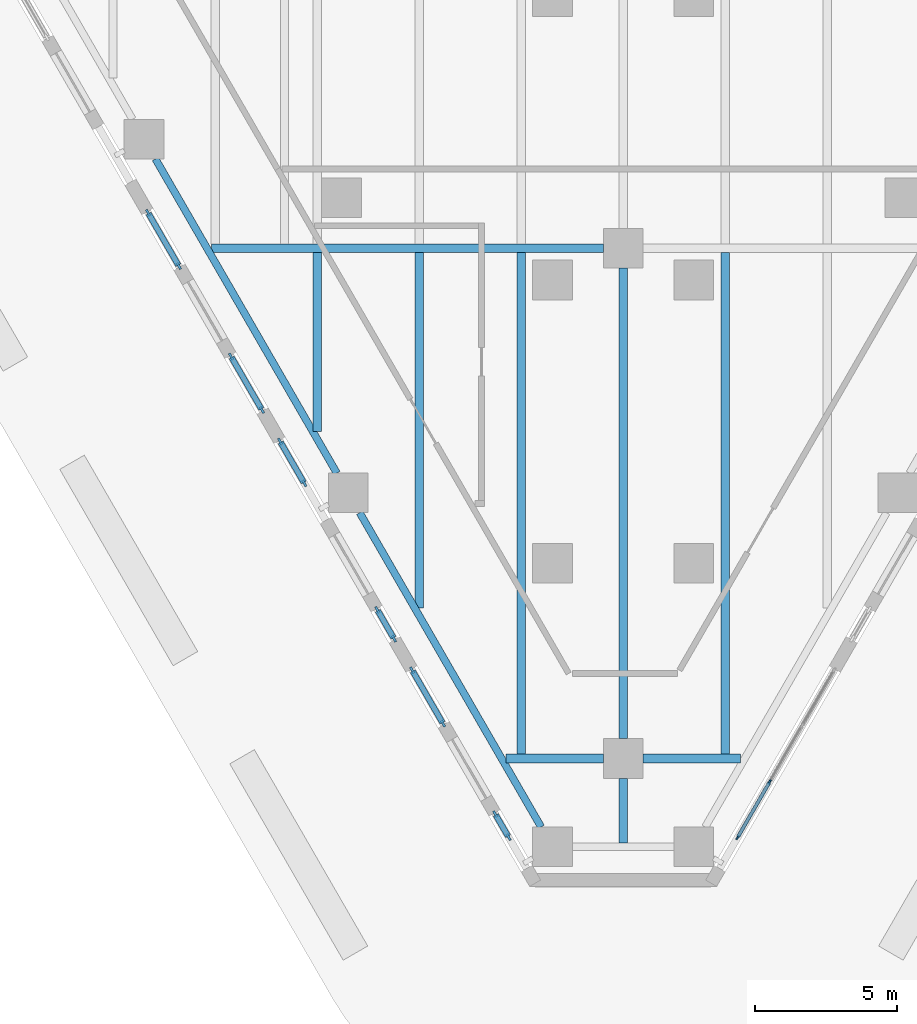
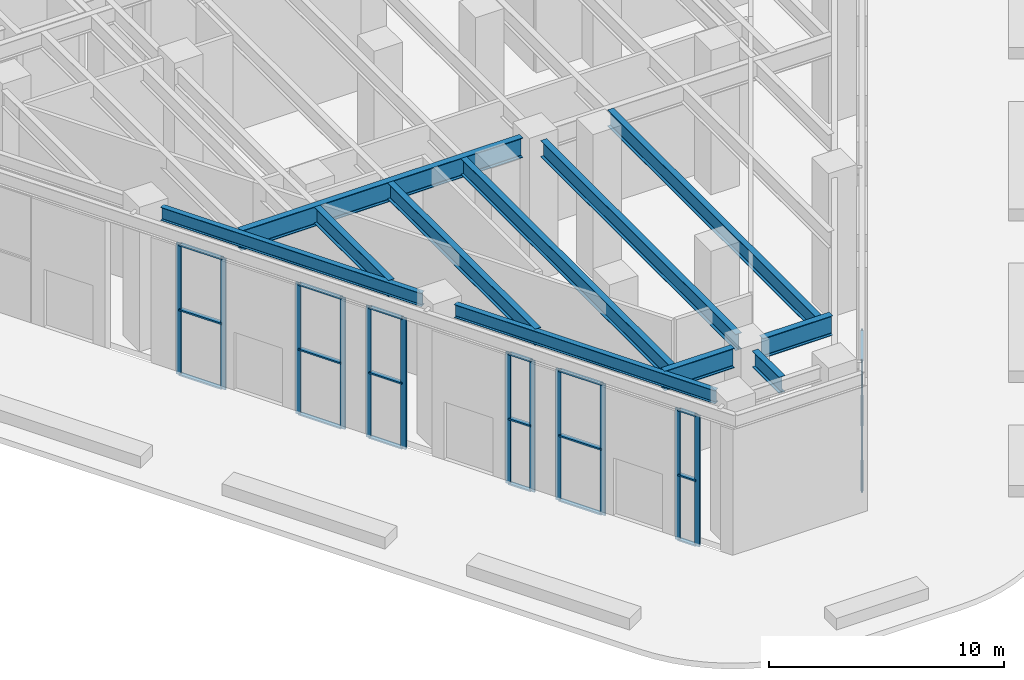
# One storey, part 2 of 37: 35 members, 11 beams, 7 elements without a shape of their own.
"""IFC4 building model written with IfcOpenShell, lengths in metres."""

import ifcopenshell
import ifcopenshell.guid

model = None  # the IFC model being written
_history = None  # IfcOwnerHistory: only IFC2X3 demands one
_inside = {}  # id of a spatial element -> (the spatial element, [elements in it])
_under = {}  # id of a project, library or spatial element -> (it, [spatial elements below it])
_declared = {}  # id of a project -> (the project, [libraries it declares])
_typed = {}  # id of a type object -> (the type object, [elements of that type])
_made_of = {}  # id of a material, layer set ... -> (it, [elements and type objects made of it])


def new_model(schema):
    """Start an empty IFC model of exactly this schema.

    Asked for "IFC4X3", IfcOpenShell would pick the latest addendum, in which some entities
    have other attributes; the version numbers below select the first issue.
    IFC2X3 requires an IfcOwnerHistory on every rooted entity: one is made here for all.
    """
    global model, _history
    if schema == "IFC4X3":
        model = ifcopenshell.file(schema_version=(4, 3, 0, 0))
    else:
        model = ifcopenshell.file(schema=schema)
    _inside.clear()
    _under.clear()
    _declared.clear()
    _typed.clear()
    _made_of.clear()
    _history = None
    if model.schema == "IFC2X3":
        org = make("IfcOrganization", Name="unknown")
        user = make(
            "IfcPersonAndOrganization",
            ThePerson=make("IfcPerson", FamilyName="unknown"),
            TheOrganization=org,
        )
        app = make(
            "IfcApplication",
            ApplicationDeveloper=org,
            Version="unknown",
            ApplicationFullName="unknown",
            ApplicationIdentifier="unknown",
        )
        _history = make(
            "IfcOwnerHistory",
            OwningUser=user,
            OwningApplication=app,
            ChangeAction="ADDED",
            CreationDate=0,
        )
    return model


def make(cls, **values):
    """One entity of the class cls with the attributes given. An attribute that is None is left unset."""
    return model.create_entity(
        cls, **{name: value for name, value in values.items() if value is not None}
    )


def rooted(cls, **values):
    """An entity with a GlobalId (a new one), such as an element, a storey or a relation."""
    return make(cls, GlobalId=ifcopenshell.guid.new(), OwnerHistory=_history, **values)


def si_unit(unit_type, name, prefix=None):
    """IfcSIUnit, for example si_unit("LENGTHUNIT", "METRE", prefix="MILLI")."""
    return make("IfcSIUnit", UnitType=unit_type, Prefix=prefix, Name=name)


def assignment(units):
    """IfcUnitAssignment: the units of a project."""
    return None if units is None else make("IfcUnitAssignment", Units=units)


def point(xyz):
    """IfcCartesianPoint."""
    return None if xyz is None else make("IfcCartesianPoint", Coordinates=xyz)


def direction(xyz):
    """IfcDirection."""
    return None if xyz is None else make("IfcDirection", DirectionRatios=xyz)


def frame(location, z_axis=None, x_axis=None):
    """IfcAxis2Placement3D, a coordinate frame: its origin and axes. An axis left out is left unset."""
    return make(
        "IfcAxis2Placement3D",
        Location=point(location),
        Axis=direction(z_axis),
        RefDirection=direction(x_axis),
    )


def frame_2d(location, x_axis=None):
    """IfcAxis2Placement2D, a coordinate frame in the plane: its origin and x axis."""
    return make(
        "IfcAxis2Placement2D", Location=point(location), RefDirection=direction(x_axis)
    )


def origin():
    """The frame at (0, 0, 0) with its axes left unset."""
    return frame((0.0, 0.0, 0.0))


def origin_2d():
    """The frame at (0, 0) in the plane with its x axis left unset."""
    return frame_2d((0.0, 0.0))


def place(relative_to, where):
    """IfcLocalPlacement: puts the frame where relative to a parent placement (None: the world)."""
    return make(
        "IfcLocalPlacement", PlacementRelTo=relative_to, RelativePlacement=where
    )


def context(
    kind, dimensions, precision=None, world=None, true_north=None, identifier=None
):
    """IfcGeometricRepresentationContext, for example the 3D "Model" context."""
    return make(
        "IfcGeometricRepresentationContext",
        ContextIdentifier=identifier,
        ContextType=kind,
        CoordinateSpaceDimension=dimensions,
        Precision=precision,
        WorldCoordinateSystem=world,
        TrueNorth=true_north,
    )


def subcontext(parent, identifier, kind, view, scale=None):
    """IfcGeometricRepresentationSubContext, for example "Body" below "Model"."""
    return make(
        "IfcGeometricRepresentationSubContext",
        ContextIdentifier=identifier,
        ContextType=kind,
        ParentContext=parent,
        TargetScale=scale,
        TargetView=view,
    )


def project(units=None, contexts=None):
    """IfcProject with its units and contexts."""
    return rooted(
        "IfcProject",
        Name="project",
        RepresentationContexts=contexts,
        UnitsInContext=assignment(units),
    )


def spatial(cls, under=None, at=None, **own):
    """A site, building, storey or space (cls), placed at a placement, below another one or the project."""
    s = rooted(cls, ObjectPlacement=at, **own)
    if under is not None:
        _under.setdefault(under.id(), (under, []))[1].append(s)
    return s


def profile(cls, at=None, kind="AREA", **sizes):
    """A parametric profile (cls). Its sizes go by their IFC names, for example OverallWidth=200.0."""
    return make(cls, ProfileType=kind, Position=at, **sizes)


def rectangle(**sizes):
    """IfcRectangleProfileDef."""
    return profile("IfcRectangleProfileDef", **sizes)


def i_section(**sizes):
    """IfcIShapeProfileDef."""
    return profile("IfcIShapeProfileDef", **sizes)


def extrude(swept, where, along, depth):
    """IfcExtrudedAreaSolid: the profile swept, set in the frame where, extruded along a direction by depth."""
    return make(
        "IfcExtrudedAreaSolid",
        SweptArea=swept,
        Position=where,
        ExtrudedDirection=direction(along),
        Depth=depth,
    )


def shape(context_of_items, identifier, shape_type, items):
    """IfcShapeRepresentation: the items that make up one representation, for example the "Body"."""
    return make(
        "IfcShapeRepresentation",
        ContextOfItems=context_of_items,
        RepresentationIdentifier=identifier,
        RepresentationType=shape_type,
        Items=items,
    )


def material(Name=None, Category=None):
    """IfcMaterial."""
    return make("IfcMaterial", Name=Name, Category=Category)


def material_profile(
    of_material, cross_section, Name=None, Category=None, Priority=None
):
    """IfcMaterialProfile: a cross section and its material."""
    return make(
        "IfcMaterialProfile",
        Name=Name,
        Material=of_material,
        Profile=cross_section,
        Priority=Priority,
        Category=Category,
    )


def profile_set(profiles, Name=None, composite=None):
    """IfcMaterialProfileSet."""
    return make(
        "IfcMaterialProfileSet",
        Name=Name,
        MaterialProfiles=profiles,
        CompositeProfile=composite,
    )


def made_of(thing, what):
    """Note that an element or type object is made of a material, layer set ...; save() writes the relation."""
    if what is not None:
        _made_of.setdefault(what.id(), (what, []))[1].append(thing)
    return thing


def type_object(cls, material=None, **own):
    """A type object (cls), such as IfcWallType, which elements share."""
    return made_of(rooted(cls, **own), material)


def element(
    cls,
    number,
    at=None,
    inside=None,
    cuts=None,
    type_object=None,
    material=None,
    context=None,
    identifier="Body",
    shape_type=None,
    held_by="IfcProductDefinitionShape",
    body=None,
    shapes=None,
    **own,
):
    """One element of the class cls, such as IfcWall. Its Tag is "e" and its number.

    at: its placement. inside: the storey or other place that contains it. cuts: it is an
    opening in that element (IfcRelVoidsElement). A single representation is given by context,
    identifier, shape_type and body (its items); several are given by shapes. held_by: the class
    of the entity that holds the representations. save() writes the other relations.
    """
    e = rooted(cls, Tag="e%d" % number, ObjectPlacement=at, **own)
    if body is not None:
        shapes = [shape(context, identifier, shape_type, body)]
    if shapes is not None:
        e.Representation = make(held_by, Representations=shapes)
    if inside is not None:
        _inside.setdefault(inside.id(), (inside, []))[1].append(e)
    if cuts is not None:
        rooted(
            "IfcRelVoidsElement", RelatingBuildingElement=cuts, RelatedOpeningElement=e
        )
    if type_object is not None:
        _typed.setdefault(type_object.id(), (type_object, []))[1].append(e)
    return made_of(e, material)


def aggregate(whole, parts):
    """IfcRelAggregates: a whole, such as a stair, and the parts it consists of."""
    return rooted("IfcRelAggregates", RelatingObject=whole, RelatedObjects=parts)


def save(model, path):
    """Write the relations noted so far, then the file.

    IfcRelAggregates (storeys below a building ...), IfcRelContainedInSpatialStructure (elements
    in a storey), IfcRelDefinesByType, IfcRelAssociatesMaterial and IfcRelDeclares: one each for
    every whole, place, type object, material and project.
    """
    for whole, parts in _under.values():
        aggregate(whole, parts)
    for where, things in _inside.values():
        rooted(
            "IfcRelContainedInSpatialStructure",
            RelatedElements=things,
            RelatingStructure=where,
        )
    for kind, things in _typed.values():
        rooted("IfcRelDefinesByType", RelatedObjects=things, RelatingType=kind)
    for what, things in _made_of.values():
        rooted("IfcRelAssociatesMaterial", RelatedObjects=things, RelatingMaterial=what)
    for by, libraries in _declared.values():
        rooted("IfcRelDeclares", RelatingContext=by, RelatedDefinitions=libraries)
    model.write(path)


model = new_model("IFC4")

# Units and contexts
model_context = context("Model", 3, precision=1e-05, world=origin(), true_north=direction((0.0, 1.0)))
body_context = subcontext(model_context, "Body", "Model", "MODEL_VIEW")
ifc_project = project(units=[si_unit("LENGTHUNIT", "METRE"), si_unit("AREAUNIT", "SQUARE_METRE"), si_unit("VOLUMEUNIT", "CUBIC_METRE"), si_unit("PLANEANGLEUNIT", "RADIAN"), si_unit("MASSUNIT", "GRAM", prefix="KILO")], contexts=[model_context])

# Site, building, storey
site_placement = place(None, origin())
site = spatial("IfcSite", under=ifc_project, at=site_placement, CompositionType="ELEMENT")
building_placement = place(site_placement, origin())
building = spatial("IfcBuilding", under=site, at=building_placement, Name="Aloe Facet Convention Tower", CompositionType="ELEMENT")
storey_placement = place(building_placement, origin())
storey = spatial("IfcBuildingStorey", under=building, at=storey_placement, Name="L00", CompositionType="ELEMENT", Elevation=0.0)

# Curtain wall, members
ifc_material_1 = material(Name="Aluminium, anodised", Category="aluminium")
curtain_wall_type_1 = type_object("IfcCurtainWallType", Name="EV-CW-PORTAL", PredefinedType="USERDEFINED", material=ifc_material_1)
curtain_wall_1_placement = place(storey_placement, origin())
curtain_wall_1 = element("IfcCurtainWall", 1, at=curtain_wall_1_placement, inside=storey, type_object=curtain_wall_type_1, Name="CW-L00-W18A", ObjectType="ENTRANCE PORTAL GLAZING", PredefinedType="USERDEFINED")
ifc_material_2 = material(Name="Aluminium, anodised", Category="aluminium")
ifc_material_profile_1 = material_profile(ifc_material_2, rectangle(XDim=0.080078125, YDim=0.25, at=origin_2d()), Name="AL 80x250")
ifc_profile_set_1 = profile_set([ifc_material_profile_1], Name="Aluminium, anodised")
member_type_1 = type_object("IfcMemberType", Name="EV-MULL-PORTAL", PredefinedType="MULLION", material=ifc_profile_set_1)
member_1_placement = place(storey_placement, frame((63.23291015625, 64.26220703125, -0.300048828125), z_axis=(0.0, 0.0, 1.0), x_axis=(0.866025403942, 0.499999999728, 0.0)))
member_1 = element("IfcMember", 2, at=member_1_placement, type_object=member_type_1, Name="CW-L00-W18A mullion 1", PredefinedType="MULLION", context=body_context, shape_type="SweptSolid", body=[
    extrude(rectangle(XDim=0.080078125, YDim=0.25, at=origin_2d()), origin(), (0.0, 0.0, 1.0), 6.8125),
])
member_2_placement = place(storey_placement, frame((64.3232421875, 62.37353515625, -0.300048828125), z_axis=(0.0, 0.0, 1.0), x_axis=(0.866025403942, 0.499999999728, 0.0)))
member_2 = element("IfcMember", 3, at=member_2_placement, type_object=member_type_1, Name="CW-L00-W18A mullion 2", PredefinedType="MULLION", context=body_context, shape_type="SweptSolid", body=[
    extrude(rectangle(XDim=0.080078125, YDim=0.25, at=origin_2d()), origin(), (0.0, 0.0, 1.0), 6.8125),
])

curtain_wall_2_placement = place(storey_placement, origin())
curtain_wall_2 = element("IfcCurtainWall", 4, at=curtain_wall_2_placement, inside=storey, type_object=curtain_wall_type_1, Name="CW-L00-W18B", ObjectType="ENTRANCE PORTAL GLAZING", PredefinedType="USERDEFINED")
member_3_placement = place(storey_placement, frame((66.1630859375, 59.186767578125, -0.300048828125), z_axis=(0.0, 0.0, 1.0), x_axis=(0.86602540375, 0.50000000006, 0.0)))
member_3 = element("IfcMember", 5, at=member_3_placement, type_object=member_type_1, Name="CW-L00-W18B mullion 1", PredefinedType="MULLION", context=body_context, shape_type="SweptSolid", body=[
    extrude(rectangle(XDim=0.080078125, YDim=0.25, at=origin_2d()), origin(), (0.0, 0.0, 1.0), 6.8125),
])
member_4_placement = place(storey_placement, frame((67.25341796875, 57.298095703125, -0.300048828125), z_axis=(0.0, 0.0, 1.0), x_axis=(0.86602540375, 0.50000000006, 0.0)))
member_4 = element("IfcMember", 6, at=member_4_placement, type_object=member_type_1, Name="CW-L00-W18B mullion 2", PredefinedType="MULLION", context=body_context, shape_type="SweptSolid", body=[
    extrude(rectangle(XDim=0.080078125, YDim=0.25, at=origin_2d()), origin(), (0.0, 0.0, 1.0), 6.8125),
])

curtain_wall_3_placement = place(storey_placement, origin())
curtain_wall_3 = element("IfcCurtainWall", 7, at=curtain_wall_3_placement, inside=storey, type_object=curtain_wall_type_1, Name="CW-L00-W20A", ObjectType="ENTRANCE PORTAL GLAZING", PredefinedType="USERDEFINED")
member_5_placement = place(storey_placement, frame((67.8935546875, 56.189697265625, -0.300048828125), z_axis=(0.0, 0.0, 1.0), x_axis=(0.866025403715, 0.500000000121, 0.0)))
member_5 = element("IfcMember", 8, at=member_5_placement, type_object=member_type_1, Name="CW-L00-W20A mullion 1", PredefinedType="MULLION", context=body_context, shape_type="SweptSolid", body=[
    extrude(rectangle(XDim=0.080078125, YDim=0.25, at=origin_2d()), origin(), (0.0, 0.0, 1.0), 6.8125),
])
member_6_placement = place(storey_placement, frame((68.75, 54.706298828125, -0.300048828125), z_axis=(0.0, 0.0, 1.0), x_axis=(0.866025403715, 0.500000000121, 0.0)))
member_6 = element("IfcMember", 9, at=member_6_placement, type_object=member_type_1, Name="CW-L00-W20A mullion 2", PredefinedType="MULLION", context=body_context, shape_type="SweptSolid", body=[
    extrude(rectangle(XDim=0.080078125, YDim=0.25, at=origin_2d()), origin(), (0.0, 0.0, 1.0), 6.8125),
])

curtain_wall_4_placement = place(storey_placement, origin())
curtain_wall_4 = element("IfcCurtainWall", 10, at=curtain_wall_4_placement, inside=storey, type_object=curtain_wall_type_1, Name="CW-L00-W20B", ObjectType="ENTRANCE PORTAL GLAZING", PredefinedType="USERDEFINED")
member_7_placement = place(storey_placement, frame((71.32373046875, 50.248046875, -0.300048828125), z_axis=(0.0, 0.0, 1.0), x_axis=(0.866025403688, 0.500000000166, 0.0)))
member_7 = element("IfcMember", 11, at=member_7_placement, type_object=member_type_1, Name="CW-L00-W20B mullion 1", PredefinedType="MULLION", context=body_context, shape_type="SweptSolid", body=[
    extrude(rectangle(XDim=0.080078125, YDim=0.25, at=origin_2d()), origin(), (0.0, 0.0, 1.0), 6.8125),
])
member_8_placement = place(storey_placement, frame((71.9140625, 49.2255859375, -0.300048828125), z_axis=(0.0, 0.0, 1.0), x_axis=(0.866025403688, 0.500000000166, 0.0)))
member_8 = element("IfcMember", 12, at=member_8_placement, type_object=member_type_1, Name="CW-L00-W20B mullion 2", PredefinedType="MULLION", context=body_context, shape_type="SweptSolid", body=[
    extrude(rectangle(XDim=0.080078125, YDim=0.25, at=origin_2d()), origin(), (0.0, 0.0, 1.0), 6.8125),
])

curtain_wall_5_placement = place(storey_placement, origin())
curtain_wall_5 = element("IfcCurtainWall", 13, at=curtain_wall_5_placement, inside=storey, type_object=curtain_wall_type_1, Name="CW-L00-W22A", ObjectType="ENTRANCE PORTAL GLAZING", PredefinedType="USERDEFINED")
member_9_placement = place(storey_placement, frame((72.55419921875, 48.1171875, -0.300048828125), z_axis=(0.0, 0.0, 1.0), x_axis=(0.866025403863, 0.499999999864, 0.0)))
member_9 = element("IfcMember", 14, at=member_9_placement, type_object=member_type_1, Name="CW-L00-W22A mullion 1", PredefinedType="MULLION", context=body_context, shape_type="SweptSolid", body=[
    extrude(rectangle(XDim=0.080078125, YDim=0.25, at=origin_2d()), origin(), (0.0, 0.0, 1.0), 6.8125),
])
member_10_placement = place(storey_placement, frame((73.64453125, 46.228515625, -0.300048828125), z_axis=(0.0, 0.0, 1.0), x_axis=(0.866025403863, 0.499999999864, 0.0)))
member_10 = element("IfcMember", 15, at=member_10_placement, type_object=member_type_1, Name="CW-L00-W22A mullion 2", PredefinedType="MULLION", context=body_context, shape_type="SweptSolid", body=[
    extrude(rectangle(XDim=0.080078125, YDim=0.25, at=origin_2d()), origin(), (0.0, 0.0, 1.0), 6.8125),
])

curtain_wall_6_placement = place(storey_placement, origin())
curtain_wall_6 = element("IfcCurtainWall", 16, at=curtain_wall_6_placement, inside=storey, type_object=curtain_wall_type_1, Name="CW-L00-W22B", ObjectType="ENTRANCE PORTAL GLAZING", PredefinedType="USERDEFINED")
member_11_placement = place(storey_placement, frame((75.484619140625, 43.04150390625, -0.300048828125), z_axis=(0.0, 0.0, 1.0), x_axis=(0.86602540368, 0.500000000181, 0.0)))
member_11 = element("IfcMember", 17, at=member_11_placement, type_object=member_type_1, Name="CW-L00-W22B mullion 1", PredefinedType="MULLION", context=body_context, shape_type="SweptSolid", body=[
    extrude(rectangle(XDim=0.080078125, YDim=0.25, at=origin_2d()), origin(), (0.0, 0.0, 1.0), 6.8125),
])
member_12_placement = place(storey_placement, frame((75.95849609375, 42.220703125, -0.300048828125), z_axis=(0.0, 0.0, 1.0), x_axis=(0.86602540368, 0.500000000181, 0.0)))
member_12 = element("IfcMember", 18, at=member_12_placement, type_object=member_type_1, Name="CW-L00-W22B mullion 2", PredefinedType="MULLION", context=body_context, shape_type="SweptSolid", body=[
    extrude(rectangle(XDim=0.080078125, YDim=0.25, at=origin_2d()), origin(), (0.0, 0.0, 1.0), 6.8125),
])

ifc_material_3 = material(Name="Aluminium, anodised", Category="aluminium")
curtain_wall_type_2 = type_object("IfcCurtainWallType", Name="EV-CW-SHOP", PredefinedType="USERDEFINED", material=ifc_material_3)
curtain_wall_7_placement = place(storey_placement, origin())
curtain_wall_7 = element("IfcCurtainWall", 19, at=curtain_wall_7_placement, inside=storey, type_object=curtain_wall_type_2, Name="CW-L00-E02", ObjectType="STICK SHOPFRONT GLAZING", PredefinedType="USERDEFINED")
ifc_material_4 = material(Name="Aluminium, anodised", Category="aluminium")
ifc_material_profile_2 = material_profile(ifc_material_4, rectangle(XDim=0.06005859375, YDim=0.159912109375, at=origin_2d()), Name="AL 60x160")
ifc_profile_set_2 = profile_set([ifc_material_profile_2], Name="Aluminium, anodised")
member_type_2 = type_object("IfcMemberType", Name="EV-MULL-SHOP", PredefinedType="MULLION", material=ifc_profile_set_2)
member_13_placement = place(storey_placement, frame((84.036376953125, 42.2119140625, -0.300048828125), z_axis=(0.0, 0.0, 1.0), x_axis=(-0.866025403776, 0.500000000015, 0.0)))
member_13 = element("IfcMember", 20, at=member_13_placement, type_object=member_type_2, Name="CW-L00-E02 mullion 1", PredefinedType="MULLION", context=body_context, shape_type="SweptSolid", body=[
    extrude(rectangle(XDim=0.06005859375, YDim=0.159912109375, at=origin_2d()), origin(), (0.0, 0.0, 1.0), 6.8125),
])
member_14_placement = place(storey_placement, frame((85.169677734375, 44.174560546875, -0.300048828125), z_axis=(0.0, 0.0, 1.0), x_axis=(-0.866025403776, 0.500000000015, 0.0)))
member_14 = element("IfcMember", 21, at=member_14_placement, type_object=member_type_2, Name="CW-L00-E02 mullion 2", PredefinedType="MULLION", context=body_context, shape_type="SweptSolid", body=[
    extrude(rectangle(XDim=0.06005859375, YDim=0.159912109375, at=origin_2d()), origin(), (0.0, 0.0, 1.0), 6.8125),
])

# Member
ifc_material_5 = material(Name="Aluminium, anodised", Category="aluminium")
ifc_material_profile_3 = material_profile(ifc_material_5, rectangle(XDim=0.199951171875, YDim=0.080078125, at=origin_2d()), Name="AL 200x80")
ifc_profile_set_3 = profile_set([ifc_material_profile_3], Name="Aluminium, anodised")
member_type_3 = type_object("IfcMemberType", Name="EV-TRAN-PORTAL", PredefinedType="USERDEFINED", material=ifc_profile_set_3)
member_15_placement = place(storey_placement, frame((63.252685546875, 64.2275390625, -0.260009765625), z_axis=(0.500051055413, -0.865995924921, 0.0), x_axis=(0.865995924921, 0.500051055413, 0.0)))
member_15 = element("IfcMember", 22, at=member_15_placement, type_object=member_type_3, Name="CW-L00-W18A transom 1.1", ObjectType="TRANSOM", PredefinedType="USERDEFINED", context=body_context, shape_type="SweptSolid", body=[
    extrude(rectangle(XDim=0.199951171875, YDim=0.080078125, at=origin_2d()), origin(), (0.0, 0.0, 1.0), 2.100830078125),
])

member_16_placement = place(storey_placement, frame((63.252685546875, 64.2275390625, 3.106201171875), z_axis=(0.500051055413, -0.865995924921, 0.0), x_axis=(0.865995924921, 0.500051055413, 0.0)))
member_16 = element("IfcMember", 23, at=member_16_placement, type_object=member_type_3, Name="CW-L00-W18A transom 1.2", ObjectType="TRANSOM", PredefinedType="USERDEFINED", context=body_context, shape_type="SweptSolid", body=[
    extrude(rectangle(XDim=0.199951171875, YDim=0.080078125, at=origin_2d()), origin(), (0.0, 0.0, 1.0), 2.100830078125),
])

member_17_placement = place(storey_placement, frame((63.252685546875, 64.2275390625, 6.472412109375), z_axis=(0.500051055413, -0.865995924921, 0.0), x_axis=(0.865995924921, 0.500051055413, 0.0)))
member_17 = element("IfcMember", 24, at=member_17_placement, type_object=member_type_3, Name="CW-L00-W18A transom 1.3", ObjectType="TRANSOM", PredefinedType="USERDEFINED", context=body_context, shape_type="SweptSolid", body=[
    extrude(rectangle(XDim=0.199951171875, YDim=0.080078125, at=origin_2d()), origin(), (0.0, 0.0, 1.0), 2.100830078125),
])

aggregate(curtain_wall_1, [member_1, member_2, member_15, member_16, member_17])

member_18_placement = place(storey_placement, frame((66.18310546875, 59.152099609375, -0.260009765625), z_axis=(0.49996389635, -0.866046247233, 0.0), x_axis=(0.866046247233, 0.49996389635, 0.0)))
member_18 = element("IfcMember", 25, at=member_18_placement, type_object=member_type_3, Name="CW-L00-W18B transom 1.1", ObjectType="TRANSOM", PredefinedType="USERDEFINED", context=body_context, shape_type="SweptSolid", body=[
    extrude(rectangle(XDim=0.199951171875, YDim=0.080078125, at=origin_2d()), origin(), (0.0, 0.0, 1.0), 2.100830078125),
])

member_19_placement = place(storey_placement, frame((66.18310546875, 59.152099609375, 3.106201171875), z_axis=(0.49996389635, -0.866046247233, 0.0), x_axis=(0.866046247233, 0.49996389635, 0.0)))
member_19 = element("IfcMember", 26, at=member_19_placement, type_object=member_type_3, Name="CW-L00-W18B transom 1.2", ObjectType="TRANSOM", PredefinedType="USERDEFINED", context=body_context, shape_type="SweptSolid", body=[
    extrude(rectangle(XDim=0.199951171875, YDim=0.080078125, at=origin_2d()), origin(), (0.0, 0.0, 1.0), 2.100830078125),
])

member_20_placement = place(storey_placement, frame((66.18310546875, 59.152099609375, 6.472412109375), z_axis=(0.49996389635, -0.866046247233, 0.0), x_axis=(0.866046247233, 0.49996389635, 0.0)))
member_20 = element("IfcMember", 27, at=member_20_placement, type_object=member_type_3, Name="CW-L00-W18B transom 1.3", ObjectType="TRANSOM", PredefinedType="USERDEFINED", context=body_context, shape_type="SweptSolid", body=[
    extrude(rectangle(XDim=0.199951171875, YDim=0.080078125, at=origin_2d()), origin(), (0.0, 0.0, 1.0), 2.100830078125),
])

aggregate(curtain_wall_2, [member_3, member_4, member_18, member_19, member_20])

member_21_placement = place(storey_placement, frame((67.91357421875, 56.155029296875, -0.260009765625), z_axis=(0.499998569178, -0.866026229868, 0.0), x_axis=(0.866026229868, 0.499998569178, 0.0)))
member_21 = element("IfcMember", 28, at=member_21_placement, type_object=member_type_3, Name="CW-L00-W20A transom 1.1", ObjectType="TRANSOM", PredefinedType="USERDEFINED", context=body_context, shape_type="SweptSolid", body=[
    extrude(rectangle(XDim=0.199951171875, YDim=0.080078125, at=origin_2d()), origin(), (0.0, 0.0, 1.0), 1.6328125),
])

member_22_placement = place(storey_placement, frame((67.91357421875, 56.155029296875, 3.106201171875), z_axis=(0.499998569178, -0.866026229868, 0.0), x_axis=(0.866026229868, 0.499998569178, 0.0)))
member_22 = element("IfcMember", 29, at=member_22_placement, type_object=member_type_3, Name="CW-L00-W20A transom 1.2", ObjectType="TRANSOM", PredefinedType="USERDEFINED", context=body_context, shape_type="SweptSolid", body=[
    extrude(rectangle(XDim=0.199951171875, YDim=0.080078125, at=origin_2d()), origin(), (0.0, 0.0, 1.0), 1.6328125),
])

member_23_placement = place(storey_placement, frame((67.91357421875, 56.155029296875, 6.472412109375), z_axis=(0.499998569178, -0.866026229868, 0.0), x_axis=(0.866026229868, 0.499998569178, 0.0)))
member_23 = element("IfcMember", 30, at=member_23_placement, type_object=member_type_3, Name="CW-L00-W20A transom 1.3", ObjectType="TRANSOM", PredefinedType="USERDEFINED", context=body_context, shape_type="SweptSolid", body=[
    extrude(rectangle(XDim=0.199951171875, YDim=0.080078125, at=origin_2d()), origin(), (0.0, 0.0, 1.0), 1.6328125),
])

aggregate(curtain_wall_3, [member_5, member_6, member_21, member_22, member_23])

member_24_placement = place(storey_placement, frame((71.34375, 50.21337890625, -0.260009765625), z_axis=(0.500170427951, -0.865926984799, 0.0), x_axis=(0.865926984799, 0.500170427951, 0.0)))
member_24 = element("IfcMember", 31, at=member_24_placement, type_object=member_type_3, Name="CW-L00-W20B transom 1.1", ObjectType="TRANSOM", PredefinedType="USERDEFINED", context=body_context, shape_type="SweptSolid", body=[
    extrude(rectangle(XDim=0.199951171875, YDim=0.080078125, at=origin_2d()), origin(), (0.0, 0.0, 1.0), 1.1005859375),
])

member_25_placement = place(storey_placement, frame((71.34375, 50.21337890625, 3.106201171875), z_axis=(0.500170427951, -0.865926984799, 0.0), x_axis=(0.865926984799, 0.500170427951, 0.0)))
member_25 = element("IfcMember", 32, at=member_25_placement, type_object=member_type_3, Name="CW-L00-W20B transom 1.2", ObjectType="TRANSOM", PredefinedType="USERDEFINED", context=body_context, shape_type="SweptSolid", body=[
    extrude(rectangle(XDim=0.199951171875, YDim=0.080078125, at=origin_2d()), origin(), (0.0, 0.0, 1.0), 1.1005859375),
])

member_26_placement = place(storey_placement, frame((71.34375, 50.21337890625, 6.472412109375), z_axis=(0.500170427951, -0.865926984799, 0.0), x_axis=(0.865926984799, 0.500170427951, 0.0)))
member_26 = element("IfcMember", 33, at=member_26_placement, type_object=member_type_3, Name="CW-L00-W20B transom 1.3", ObjectType="TRANSOM", PredefinedType="USERDEFINED", context=body_context, shape_type="SweptSolid", body=[
    extrude(rectangle(XDim=0.199951171875, YDim=0.080078125, at=origin_2d()), origin(), (0.0, 0.0, 1.0), 1.1005859375),
])

aggregate(curtain_wall_4, [member_7, member_8, member_24, member_25, member_26])

member_27_placement = place(storey_placement, frame((72.57421875, 48.08251953125, -0.260009765625), z_axis=(0.49996389635, -0.866046247233, 0.0), x_axis=(0.866046247233, 0.49996389635, 0.0)))
member_27 = element("IfcMember", 34, at=member_27_placement, type_object=member_type_3, Name="CW-L00-W22A transom 1.1", ObjectType="TRANSOM", PredefinedType="USERDEFINED", context=body_context, shape_type="SweptSolid", body=[
    extrude(rectangle(XDim=0.199951171875, YDim=0.080078125, at=origin_2d()), origin(), (0.0, 0.0, 1.0), 2.100830078125),
])

member_28_placement = place(storey_placement, frame((72.57421875, 48.08251953125, 3.106201171875), z_axis=(0.49996389635, -0.866046247233, 0.0), x_axis=(0.866046247233, 0.49996389635, 0.0)))
member_28 = element("IfcMember", 35, at=member_28_placement, type_object=member_type_3, Name="CW-L00-W22A transom 1.2", ObjectType="TRANSOM", PredefinedType="USERDEFINED", context=body_context, shape_type="SweptSolid", body=[
    extrude(rectangle(XDim=0.199951171875, YDim=0.080078125, at=origin_2d()), origin(), (0.0, 0.0, 1.0), 2.100830078125),
])

member_29_placement = place(storey_placement, frame((72.57421875, 48.08251953125, 6.472412109375), z_axis=(0.49996389635, -0.866046247233, 0.0), x_axis=(0.866046247233, 0.49996389635, 0.0)))
member_29 = element("IfcMember", 36, at=member_29_placement, type_object=member_type_3, Name="CW-L00-W22A transom 1.3", ObjectType="TRANSOM", PredefinedType="USERDEFINED", context=body_context, shape_type="SweptSolid", body=[
    extrude(rectangle(XDim=0.199951171875, YDim=0.080078125, at=origin_2d()), origin(), (0.0, 0.0, 1.0), 2.100830078125),
])

aggregate(curtain_wall_5, [member_9, member_10, member_27, member_28, member_29])

member_30_placement = place(storey_placement, frame((75.50439453125, 43.0068359375, -0.260009765625), z_axis=(0.50007140638, -0.865984173366, 0.0), x_axis=(0.865984173366, 0.50007140638, 0.0)))
member_30 = element("IfcMember", 37, at=member_30_placement, type_object=member_type_3, Name="CW-L00-W22B transom 1.1", ObjectType="TRANSOM", PredefinedType="USERDEFINED", context=body_context, shape_type="SweptSolid", body=[
    extrude(rectangle(XDim=0.199951171875, YDim=0.080078125, at=origin_2d()), origin(), (0.0, 0.0, 1.0), 0.867919921875),
])

member_31_placement = place(storey_placement, frame((75.50439453125, 43.0068359375, 3.106201171875), z_axis=(0.50007140638, -0.865984173366, 0.0), x_axis=(0.865984173366, 0.50007140638, 0.0)))
member_31 = element("IfcMember", 38, at=member_31_placement, type_object=member_type_3, Name="CW-L00-W22B transom 1.2", ObjectType="TRANSOM", PredefinedType="USERDEFINED", context=body_context, shape_type="SweptSolid", body=[
    extrude(rectangle(XDim=0.199951171875, YDim=0.080078125, at=origin_2d()), origin(), (0.0, 0.0, 1.0), 0.867919921875),
])

member_32_placement = place(storey_placement, frame((75.50439453125, 43.0068359375, 6.472412109375), z_axis=(0.50007140638, -0.865984173366, 0.0), x_axis=(0.865984173366, 0.50007140638, 0.0)))
member_32 = element("IfcMember", 39, at=member_32_placement, type_object=member_type_3, Name="CW-L00-W22B transom 1.3", ObjectType="TRANSOM", PredefinedType="USERDEFINED", context=body_context, shape_type="SweptSolid", body=[
    extrude(rectangle(XDim=0.199951171875, YDim=0.080078125, at=origin_2d()), origin(), (0.0, 0.0, 1.0), 0.867919921875),
])

aggregate(curtain_wall_6, [member_11, member_12, member_30, member_31, member_32])

ifc_material_6 = material(Name="Aluminium, anodised", Category="aluminium")
ifc_material_profile_4 = material_profile(ifc_material_6, rectangle(XDim=0.1201171875, YDim=0.06005859375, at=origin_2d()), Name="AL 120x60")
ifc_profile_set_4 = profile_set([ifc_material_profile_4], Name="Aluminium, anodised")
member_type_4 = type_object("IfcMemberType", Name="EV-TRAN-SHOP", PredefinedType="USERDEFINED", material=ifc_profile_set_4)
member_33_placement = place(storey_placement, frame((84.051513671875, 42.238037109375, -0.27001953125), z_axis=(0.499971514742, 0.866041849131, 0.0), x_axis=(-0.866041849131, 0.499971514742, 0.0)))
member_33 = element("IfcMember", 40, at=member_33_placement, type_object=member_type_4, Name="CW-L00-E02 transom 1.1", ObjectType="TRANSOM", PredefinedType="USERDEFINED", context=body_context, shape_type="SweptSolid", body=[
    extrude(rectangle(XDim=0.1201171875, YDim=0.06005859375, at=origin_2d()), origin(), (0.0, 0.0, 1.0), 2.206298828125),
])

member_34_placement = place(storey_placement, frame((84.051513671875, 42.238037109375, 3.106201171875), z_axis=(0.499971514742, 0.866041849131, 0.0), x_axis=(-0.866041849131, 0.499971514742, 0.0)))
member_34 = element("IfcMember", 41, at=member_34_placement, type_object=member_type_4, Name="CW-L00-E02 transom 1.2", ObjectType="TRANSOM", PredefinedType="USERDEFINED", context=body_context, shape_type="SweptSolid", body=[
    extrude(rectangle(XDim=0.1201171875, YDim=0.06005859375, at=origin_2d()), origin(), (0.0, 0.0, 1.0), 2.206298828125),
])

member_35_placement = place(storey_placement, frame((84.051513671875, 42.238037109375, 6.482421875), z_axis=(0.499971514742, 0.866041849131, 0.0), x_axis=(-0.866041849131, 0.499971514742, 0.0)))
member_35 = element("IfcMember", 42, at=member_35_placement, type_object=member_type_4, Name="CW-L00-E02 transom 1.3", ObjectType="TRANSOM", PredefinedType="USERDEFINED", context=body_context, shape_type="SweptSolid", body=[
    extrude(rectangle(XDim=0.1201171875, YDim=0.06005859375, at=origin_2d()), origin(), (0.0, 0.0, 1.0), 2.206298828125),
])

aggregate(curtain_wall_7, [member_13, member_14, member_33, member_34, member_35])

# Beams
ifc_material_7 = material(Name="Steel S355", Category="steel")
ifc_material_profile_5 = material_profile(ifc_material_7, i_section(OverallWidth=0.305419921875, OverallDepth=1.02587890625, WebThickness=0.02001953125, FlangeThickness=0.031005859375, FilletRadius=0.030029296875, at=origin_2d()), Name="UB 1016x305x349")
ifc_profile_set_5 = profile_set([ifc_material_profile_5], Name="Steel S355")
beam_type_1 = type_object("IfcBeamType", Name="SF-B-UB1016x305x349", PredefinedType="BEAM", material=ifc_profile_set_5)
beam_1_placement = place(storey_placement, frame((65.47509765625, 63.0, 6.68701171875), z_axis=(1.0, 0.0, 0.0), x_axis=(0.0, 1.0, 0.0)))
element("IfcBeam", 43, at=beam_1_placement, inside=storey, type_object=beam_type_1, Name="Floor beam FB-L01-038", PredefinedType="BEAM", context=body_context, shape_type="SweptSolid", body=[
    extrude(i_section(OverallWidth=0.305419921875, OverallDepth=1.02587890625, WebThickness=0.02001953125, FlangeThickness=0.031005859375, FilletRadius=0.030029296875, at=origin_2d()), origin(), (0.0, 0.0, 1.0), 13.824951171875),
])
for number, where, z_axis, x_axis, name in (
    (44, (75.867431640625, 45.0, 6.68701171875), (1.0, 0.0, 0.0), (0.0, 1.0, 0.0), "Floor beam FB-L01-040"),
    (45, (80.699951171875, 45.0, 6.68701171875), (1.0, 0.0, 0.0), (0.0, 1.0, 0.0), "Floor beam FB-L01-041"),
):
    element("IfcBeam", number, at=place(storey_placement, frame(where, z_axis=z_axis, x_axis=x_axis)), inside=storey, type_object=beam_type_1, Name=name, PredefinedType="BEAM", context=body_context, shape_type="SweptSolid", body=[
        extrude(i_section(OverallWidth=0.305419921875, OverallDepth=1.02587890625, WebThickness=0.02001953125, FlangeThickness=0.031005859375, FilletRadius=0.030029296875, at=origin_2d()), origin(), (0.0, 0.0, 1.0), 3.4326171875),
    ])
ifc_material_8 = material(Name="Steel S355", Category="steel")
ifc_material_profile_6 = material_profile(ifc_material_8, i_section(OverallWidth=0.25439453125, OverallDepth=0.6875, WebThickness=0.01318359375, FlangeThickness=0.02099609375, FilletRadius=0.01513671875, at=origin_2d()), Name="UB 686x254x152")
ifc_profile_set_6 = profile_set([ifc_material_profile_6], Name="Steel S355")
beam_type_2 = type_object("IfcBeamType", Name="SF-B-UB686x254x152", PredefinedType="BEAM", material=ifc_profile_set_6)
beam_2_placement = place(storey_placement, frame((69.8955078125, 55.072021484375, 6.856201171875), z_axis=(-0.499999833739, 0.866025499775, 0.0), x_axis=(-0.866025499775, -0.499999833739, 0.0)))
element("IfcBeam", 46, at=beam_2_placement, inside=storey, type_object=beam_type_2, Name="Floor beam FB-L01-013", PredefinedType="BEAM", context=body_context, shape_type="SweptSolid", body=[
    extrude(i_section(OverallWidth=0.25439453125, OverallDepth=0.6875, WebThickness=0.01318359375, FlangeThickness=0.02099609375, FilletRadius=0.01513671875, at=origin_2d()), origin(), (0.0, 0.0, 1.0), 12.7998046875),
])
beam_3_placement = place(storey_placement, frame((77.104248046875, 42.5859375, 6.856201171875), z_axis=(-0.499987149722, 0.866032822769, 0.0), x_axis=(-0.866032822769, -0.499987149722, 0.0)))
element("IfcBeam", 47, at=beam_3_placement, inside=storey, type_object=beam_type_2, Name="Floor beam FB-L01-014", PredefinedType="BEAM", context=body_context, shape_type="SweptSolid", body=[
    extrude(i_section(OverallWidth=0.25439453125, OverallDepth=0.6875, WebThickness=0.01318359375, FlangeThickness=0.02099609375, FilletRadius=0.01513671875, at=origin_2d()), origin(), (0.0, 0.0, 1.0), 12.801025390625),
])
ifc_material_9 = material(Name="Steel S355", Category="steel")
ifc_material_profile_7 = material_profile(ifc_material_9, i_section(OverallWidth=0.293701171875, OverallDepth=0.850830078125, WebThickness=0.01611328125, FlangeThickness=0.02685546875, FilletRadius=0.017822265625, at=origin_2d()), Name="UB 838x292x226")
ifc_profile_set_7 = profile_set([ifc_material_profile_7], Name="Steel S355")
beam_type_3 = type_object("IfcBeamType", Name="SF-B-UB838x292x226", PredefinedType="BEAM", material=ifc_profile_set_7)
beam_4_placement = place(storey_placement, frame((69.199951171875, 56.541259765625, 6.774658203125), z_axis=(0.0, 1.0, 0.0), x_axis=(-1.0, 0.0, 0.0)))
element("IfcBeam", 48, at=beam_4_placement, inside=storey, type_object=beam_type_3, Name="Floor beam FB-L01-092", PredefinedType="BEAM", context=body_context, shape_type="SweptSolid", body=[
    extrude(i_section(OverallWidth=0.293701171875, OverallDepth=0.850830078125, WebThickness=0.01611328125, FlangeThickness=0.02685546875, FilletRadius=0.017822265625, at=origin_2d()), origin(), (0.0, 0.0, 1.0), 6.30615234375),
])
beam_5_placement = place(storey_placement, frame((72.800048828125, 50.305908203125, 6.774658203125), z_axis=(0.0, 1.0, 0.0), x_axis=(-1.0, 0.0, 0.0)))
element("IfcBeam", 49, at=beam_5_placement, inside=storey, type_object=beam_type_3, Name="Floor beam FB-L01-100", PredefinedType="BEAM", context=body_context, shape_type="SweptSolid", body=[
    extrude(i_section(OverallWidth=0.293701171875, OverallDepth=0.850830078125, WebThickness=0.01611328125, FlangeThickness=0.02685546875, FilletRadius=0.017822265625, at=origin_2d()), origin(), (0.0, 0.0, 1.0), 12.54150390625),
])
beam_6_placement = place(storey_placement, frame((76.39990234375, 45.152587890625, 6.774658203125), z_axis=(0.0, 1.0, 0.0), x_axis=(-1.0, 0.0, 0.0)))
element("IfcBeam", 50, at=beam_6_placement, inside=storey, type_object=beam_type_3, Name="Floor beam FB-L01-107", PredefinedType="BEAM", context=body_context, shape_type="SweptSolid", body=[
    extrude(i_section(OverallWidth=0.293701171875, OverallDepth=0.850830078125, WebThickness=0.01611328125, FlangeThickness=0.02685546875, FilletRadius=0.017822265625, at=origin_2d()), origin(), (0.0, 0.0, 1.0), 17.69482421875),
])
beam_7_placement = place(storey_placement, frame((80.0, 42.0234375, 6.774658203125), z_axis=(0.0, 1.0, 0.0), x_axis=(-1.0, 0.0, 0.0)))
element("IfcBeam", 51, at=beam_7_placement, inside=storey, type_object=beam_type_3, Name="Floor beam FB-L01-113", PredefinedType="BEAM", context=body_context, shape_type="SweptSolid", body=[
    extrude(i_section(OverallWidth=0.293701171875, OverallDepth=0.850830078125, WebThickness=0.01611328125, FlangeThickness=0.02685546875, FilletRadius=0.017822265625, at=origin_2d()), origin(), (0.0, 0.0, 1.0), 2.276611328125),
])
beam_8_placement = place(storey_placement, frame((80.0, 45.699951171875, 6.774658203125), z_axis=(0.0, 1.0, 0.0), x_axis=(-1.0, 0.0, 0.0)))
element("IfcBeam", 52, at=beam_8_placement, inside=storey, type_object=beam_type_3, Name="Floor beam FB-L01-114", PredefinedType="BEAM", context=body_context, shape_type="SweptSolid", body=[
    extrude(i_section(OverallWidth=0.293701171875, OverallDepth=0.850830078125, WebThickness=0.01611328125, FlangeThickness=0.02685546875, FilletRadius=0.017822265625, at=origin_2d()), origin(), (0.0, 0.0, 1.0), 16.60009765625),
])
beam_9_placement = place(storey_placement, frame((83.60009765625, 45.152587890625, 6.774658203125), z_axis=(0.0, 1.0, 0.0), x_axis=(-1.0, 0.0, 0.0)))
element("IfcBeam", 53, at=beam_9_placement, inside=storey, type_object=beam_type_3, Name="Floor beam FB-L01-120", PredefinedType="BEAM", context=body_context, shape_type="SweptSolid", body=[
    extrude(i_section(OverallWidth=0.293701171875, OverallDepth=0.850830078125, WebThickness=0.01611328125, FlangeThickness=0.02685546875, FilletRadius=0.017822265625, at=origin_2d()), origin(), (0.0, 0.0, 1.0), 17.69482421875),
])

save(model, "model.ifc")
